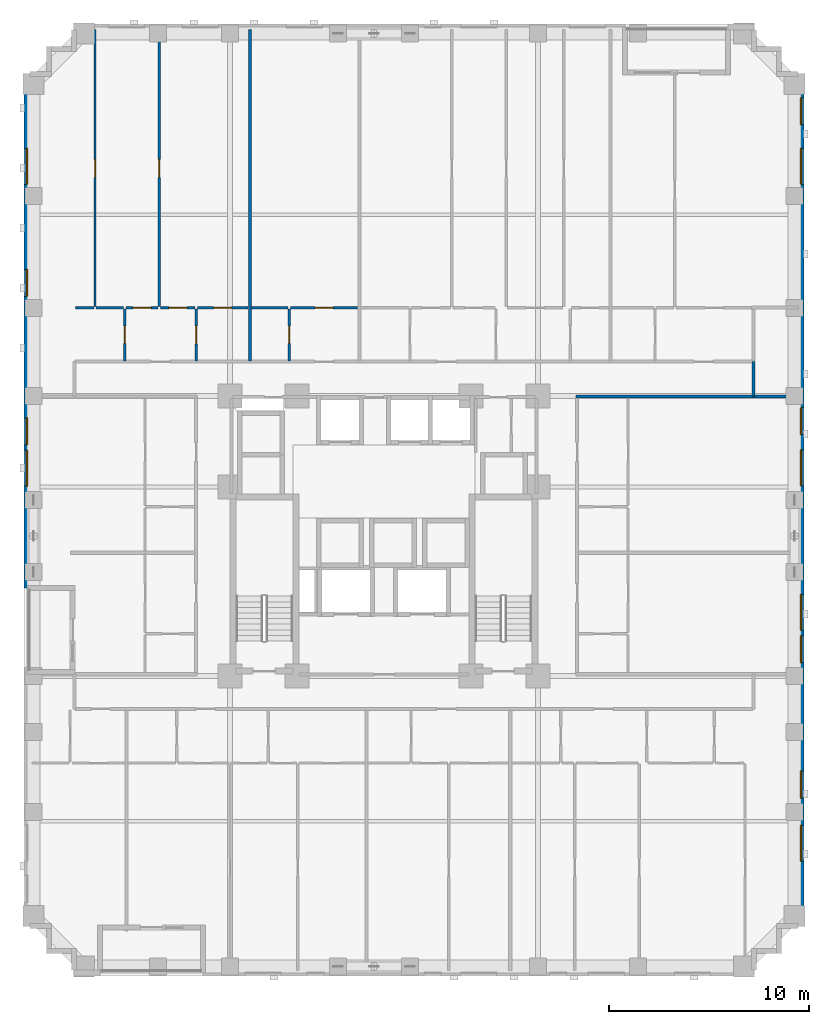
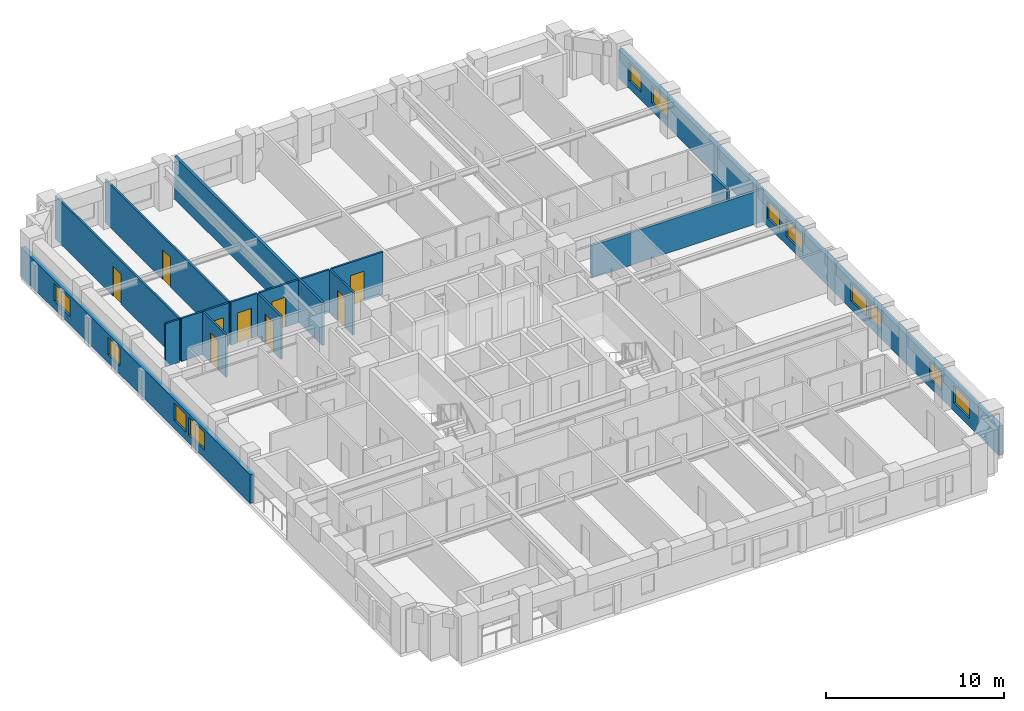
# One storey, part 7 of 14: 17 walls, 12 windows, 9 doors, 21 openings.
"""IFC4 building model written with IfcOpenShell, lengths in metres."""

from ifc_helpers import new_model, si_unit, derived_unit, direction, frame, frame_2d, origin, place, context, subcontext, project, spatial, rectangle, extrude, material, layer, layer_set, type_object, element, fill, save


model = new_model("IFC4")

# Units and contexts
model_context = context("Model", 3, precision=1e-05, world=origin(), true_north=direction((0.0, 1.0)))
body_context = subcontext(model_context, "Body", "Model", "MODEL_VIEW")
ifc_project = project(units=[si_unit("LENGTHUNIT", "METRE"), si_unit("AREAUNIT", "SQUARE_METRE"), si_unit("VOLUMEUNIT", "CUBIC_METRE"), si_unit("PLANEANGLEUNIT", "RADIAN"), si_unit("MASSUNIT", "GRAM", prefix="KILO"), derived_unit("THERMALTRANSMITTANCEUNIT", [(si_unit("MASSUNIT", "GRAM", prefix="KILO"), 1), (si_unit("TIMEUNIT", "SECOND"), -3), (si_unit("THERMODYNAMICTEMPERATUREUNIT", "KELVIN"), -1)])], contexts=[model_context])

# Site, building, storey
site_placement = place(None, origin())
site = spatial("IfcSite", under=ifc_project, at=site_placement, CompositionType="ELEMENT")
building_placement = place(site_placement, origin())
building = spatial("IfcBuilding", under=site, at=building_placement, Name="Korrvale Station Residences", CompositionType="ELEMENT")
storey_placement = place(building_placement, frame((0.0, 0.0, 54.60009765625)))
storey = spatial("IfcBuildingStorey", under=building, at=storey_placement, Name="L14", CompositionType="ELEMENT", Elevation=54.60009765625)

# Wall, openings, windows
ifc_material_1 = material(Name="Precast concrete C45/55", Category="concrete")
ifc_layer_1 = layer(ifc_material_1, 0.300048828125, Name="Precast concrete C45/55")
ifc_layer_set_1 = layer_set([ifc_layer_1], Name="Precast concrete C45/55")
wall_type_1 = type_object("IfcWallType", Name="WAL-EXT-PC300", PredefinedType="SOLIDWALL", material=ifc_layer_set_1)
wall_1_placement = place(storey_placement, frame((46.35009765625, 45.10009765625, 0.0), z_axis=(0.0, 0.0, 1.0), x_axis=(0.0, -1.0, 0.0)))
wall_1 = element("IfcWall", 1, at=wall_1_placement, inside=storey, type_object=wall_type_1, Name="L14 East Exterior Precast Wall 1", PredefinedType="SOLIDWALL", context=body_context, shape_type="SweptSolid", body=[
    extrude(rectangle(XDim=42.60009765625, YDim=0.300048828125, at=frame_2d((21.300048828125, 0.0))), origin(), (0.0, 0.0, 1.0), 1.974853515625),
])
opening_1_placement = place(wall_1_placement, frame((37.574951171875, 0.0, 0.550048828125)))
opening_1 = element("IfcOpeningElement", 2, at=opening_1_placement, cuts=wall_1, Name="Opening W-09", PredefinedType="OPENING", context=body_context, shape_type="SweptSolid", body=[
    extrude(rectangle(XDim=1.800048828125, YDim=1.199951171875, at=frame_2d((0.89990234375, 0.60009765625))), frame((0.0, 0.16015625, 0.0), z_axis=(0.0, -1.0, 0.0), x_axis=(1.0, 0.0, 0.0)), (0.0, 0.0, 1.0), 0.320068359375),
])
opening_2_placement = place(wall_1_placement, frame((34.85009765625, 0.0, 0.550048828125)))
opening_2 = element("IfcOpeningElement", 3, at=opening_2_placement, cuts=wall_1, Name="Opening W-10", PredefinedType="OPENING", context=body_context, shape_type="SweptSolid", body=[
    extrude(rectangle(XDim=1.35009765625, YDim=1.199951171875, at=frame_2d((0.675048828125, 0.60009765625))), frame((0.0, 0.16015625, 0.0), z_axis=(0.0, -1.0, 0.0), x_axis=(1.0, 0.0, 0.0)), (0.0, 0.0, 1.0), 0.320068359375),
])
opening_3_placement = place(wall_1_placement, frame((3.715087890625, 0.0, 0.550048828125)))
opening_3 = element("IfcOpeningElement", 4, at=opening_3_placement, cuts=wall_1, Name="Opening W-09", PredefinedType="OPENING", context=body_context, shape_type="SweptSolid", body=[
    extrude(rectangle(XDim=1.800048828125, YDim=1.199951171875, at=frame_2d((0.89990234375, 0.60009765625))), frame((0.0, 0.16015625, 0.0), z_axis=(0.0, -1.0, 0.0), x_axis=(1.0, 0.0, 0.0)), (0.0, 0.0, 1.0), 0.320068359375),
])
opening_4_placement = place(wall_1_placement, frame((1.18505859375, 0.0, 0.550048828125)))
opening_4 = element("IfcOpeningElement", 5, at=opening_4_placement, cuts=wall_1, Name="Opening W-10", PredefinedType="OPENING", context=body_context, shape_type="SweptSolid", body=[
    extrude(rectangle(XDim=1.35009765625, YDim=1.199951171875, at=frame_2d((0.675048828125, 0.60009765625))), frame((0.0, 0.16015625, 0.0), z_axis=(0.0, -1.0, 0.0), x_axis=(1.0, 0.0, 0.0)), (0.0, 0.0, 1.0), 0.320068359375),
])
opening_5_placement = place(wall_1_placement, frame((26.02490234375, 0.0, 0.550048828125)))
opening_5 = element("IfcOpeningElement", 6, at=opening_5_placement, cuts=wall_1, Name="Opening W-09", PredefinedType="OPENING", context=body_context, shape_type="SweptSolid", body=[
    extrude(rectangle(XDim=1.800048828125, YDim=1.199951171875, at=frame_2d((0.89990234375, 0.60009765625))), frame((0.0, 0.16015625, 0.0), z_axis=(0.0, -1.0, 0.0), x_axis=(1.0, 0.0, 0.0)), (0.0, 0.0, 1.0), 0.320068359375),
])
opening_6_placement = place(wall_1_placement, frame((28.0849609375, 0.0, 0.550048828125)))
opening_6 = element("IfcOpeningElement", 7, at=opening_6_placement, cuts=wall_1, Name="Opening W-10", PredefinedType="OPENING", context=body_context, shape_type="SweptSolid", body=[
    extrude(rectangle(XDim=1.35009765625, YDim=1.199951171875, at=frame_2d((0.675048828125, 0.60009765625))), frame((0.0, 0.16015625, 0.0), z_axis=(0.0, -1.0, 0.0), x_axis=(1.0, 0.0, 0.0)), (0.0, 0.0, 1.0), 0.320068359375),
])
opening_7_placement = place(wall_1_placement, frame((18.800048828125, 0.0, 0.550048828125)))
opening_7 = element("IfcOpeningElement", 8, at=opening_7_placement, cuts=wall_1, Name="Opening W-09", PredefinedType="OPENING", context=body_context, shape_type="SweptSolid", body=[
    extrude(rectangle(XDim=1.800048828125, YDim=1.199951171875, at=frame_2d((0.89990234375, 0.60009765625))), frame((0.0, 0.16015625, 0.0), z_axis=(0.0, -1.0, 0.0), x_axis=(1.0, 0.0, 0.0)), (0.0, 0.0, 1.0), 0.320068359375),
])
opening_8_placement = place(wall_1_placement, frame((16.68505859375, 0.0, 0.550048828125)))
opening_8 = element("IfcOpeningElement", 9, at=opening_8_placement, cuts=wall_1, Name="Opening W-10", PredefinedType="OPENING", context=body_context, shape_type="SweptSolid", body=[
    extrude(rectangle(XDim=1.35009765625, YDim=1.199951171875, at=frame_2d((0.675048828125, 0.60009765625))), frame((0.0, 0.16015625, 0.0), z_axis=(0.0, -1.0, 0.0), x_axis=(1.0, 0.0, 0.0)), (0.0, 0.0, 1.0), 0.320068359375),
])
ifc_material_2 = material(Name="Thermally broken aluminium frame with triple low-e glazing", Category="aluminium")
window_type_1 = type_object("IfcWindowType", Name="WIN-W09", PartitioningType="DOUBLE_PANEL_VERTICAL", PredefinedType="WINDOW", material=ifc_material_2)
window_1_placement = place(opening_1_placement, origin())
window_1 = element("IfcWindow", 10, at=window_1_placement, inside=storey, type_object=window_type_1, Name="L14 Punched Window 11", OverallHeight=1.199951171875, OverallWidth=1.800048828125, PartitioningType="DOUBLE_PANEL_VERTICAL", PredefinedType="WINDOW", context=body_context, shape_type="SweptSolid", body=[
    extrude(rectangle(XDim=1.800048828125, YDim=1.199951171875, at=frame_2d((0.89990234375, 0.60009765625))), frame((0.0, 0.030029296875, 0.0), z_axis=(0.0, -1.0, 0.0), x_axis=(1.0, 0.0, 0.0)), (0.0, 0.0, 1.0), 0.06005859375),
])
fill(opening_1, window_1)
window_2_placement = place(opening_3_placement, origin())
window_2 = element("IfcWindow", 11, at=window_2_placement, inside=storey, type_object=window_type_1, Name="L14 Punched Window 22", OverallHeight=1.199951171875, OverallWidth=1.800048828125, PartitioningType="DOUBLE_PANEL_VERTICAL", PredefinedType="WINDOW", context=body_context, shape_type="SweptSolid", body=[
    extrude(rectangle(XDim=1.800048828125, YDim=1.199951171875, at=frame_2d((0.89990234375, 0.60009765625))), frame((0.0, 0.030029296875, 0.0), z_axis=(0.0, -1.0, 0.0), x_axis=(1.0, 0.0, 0.0)), (0.0, 0.0, 1.0), 0.06005859375),
])
fill(opening_3, window_2)
window_3_placement = place(opening_5_placement, origin())
window_3 = element("IfcWindow", 12, at=window_3_placement, inside=storey, type_object=window_type_1, Name="L14 Punched Window 27", OverallHeight=1.199951171875, OverallWidth=1.800048828125, PartitioningType="DOUBLE_PANEL_VERTICAL", PredefinedType="WINDOW", context=body_context, shape_type="SweptSolid", body=[
    extrude(rectangle(XDim=1.800048828125, YDim=1.199951171875, at=frame_2d((0.89990234375, 0.60009765625))), frame((0.0, 0.030029296875, 0.0), z_axis=(0.0, -1.0, 0.0), x_axis=(1.0, 0.0, 0.0)), (0.0, 0.0, 1.0), 0.06005859375),
])
fill(opening_5, window_3)
window_4_placement = place(opening_7_placement, origin())
window_4 = element("IfcWindow", 13, at=window_4_placement, inside=storey, type_object=window_type_1, Name="L14 Punched Window 29", OverallHeight=1.199951171875, OverallWidth=1.800048828125, PartitioningType="DOUBLE_PANEL_VERTICAL", PredefinedType="WINDOW", context=body_context, shape_type="SweptSolid", body=[
    extrude(rectangle(XDim=1.800048828125, YDim=1.199951171875, at=frame_2d((0.89990234375, 0.60009765625))), frame((0.0, 0.030029296875, 0.0), z_axis=(0.0, -1.0, 0.0), x_axis=(1.0, 0.0, 0.0)), (0.0, 0.0, 1.0), 0.06005859375),
])
fill(opening_7, window_4)
window_type_2 = type_object("IfcWindowType", Name="WIN-W10", PartitioningType="SINGLE_PANEL", PredefinedType="WINDOW", material=ifc_material_2)
window_5_placement = place(opening_2_placement, origin())
window_5 = element("IfcWindow", 14, at=window_5_placement, inside=storey, type_object=window_type_2, Name="L14 Punched Window 12", OverallHeight=1.199951171875, OverallWidth=1.35009765625, PartitioningType="SINGLE_PANEL", PredefinedType="WINDOW", context=body_context, shape_type="SweptSolid", body=[
    extrude(rectangle(XDim=1.35009765625, YDim=1.199951171875, at=frame_2d((0.675048828125, 0.60009765625))), frame((0.0, 0.030029296875, 0.0), z_axis=(0.0, -1.0, 0.0), x_axis=(1.0, 0.0, 0.0)), (0.0, 0.0, 1.0), 0.06005859375),
])
fill(opening_2, window_5)
window_6_placement = place(opening_4_placement, origin())
window_6 = element("IfcWindow", 15, at=window_6_placement, inside=storey, type_object=window_type_2, Name="L14 Punched Window 23", OverallHeight=1.199951171875, OverallWidth=1.35009765625, PartitioningType="SINGLE_PANEL", PredefinedType="WINDOW", context=body_context, shape_type="SweptSolid", body=[
    extrude(rectangle(XDim=1.35009765625, YDim=1.199951171875, at=frame_2d((0.675048828125, 0.60009765625))), frame((0.0, 0.030029296875, 0.0), z_axis=(0.0, -1.0, 0.0), x_axis=(1.0, 0.0, 0.0)), (0.0, 0.0, 1.0), 0.06005859375),
])
fill(opening_4, window_6)
window_7_placement = place(opening_6_placement, origin())
window_7 = element("IfcWindow", 16, at=window_7_placement, inside=storey, type_object=window_type_2, Name="L14 Punched Window 28", OverallHeight=1.199951171875, OverallWidth=1.35009765625, PartitioningType="SINGLE_PANEL", PredefinedType="WINDOW", context=body_context, shape_type="SweptSolid", body=[
    extrude(rectangle(XDim=1.35009765625, YDim=1.199951171875, at=frame_2d((0.675048828125, 0.60009765625))), frame((0.0, 0.030029296875, 0.0), z_axis=(0.0, -1.0, 0.0), x_axis=(1.0, 0.0, 0.0)), (0.0, 0.0, 1.0), 0.06005859375),
])
fill(opening_6, window_7)
window_8_placement = place(opening_8_placement, origin())
window_8 = element("IfcWindow", 17, at=window_8_placement, inside=storey, type_object=window_type_2, Name="L14 Punched Window 30", OverallHeight=1.199951171875, OverallWidth=1.35009765625, PartitioningType="SINGLE_PANEL", PredefinedType="WINDOW", context=body_context, shape_type="SweptSolid", body=[
    extrude(rectangle(XDim=1.35009765625, YDim=1.199951171875, at=frame_2d((0.675048828125, 0.60009765625))), frame((0.0, 0.030029296875, 0.0), z_axis=(0.0, -1.0, 0.0), x_axis=(1.0, 0.0, 0.0)), (0.0, 0.0, 1.0), 0.06005859375),
])
fill(opening_8, window_8)

wall_2_placement = place(storey_placement, frame((7.64990234375, 19.39990234375, 0.0), z_axis=(0.0, 0.0, 1.0), x_axis=(0.0, 1.0, 0.0)))
wall_2 = element("IfcWall", 18, at=wall_2_placement, inside=storey, type_object=wall_type_1, Name="L14 West Exterior Precast Wall 2", PredefinedType="SOLIDWALL", context=body_context, shape_type="SweptSolid", body=[
    extrude(rectangle(XDim=25.7001953125, YDim=0.300048828125, at=frame_2d((12.85009765625, 0.0))), origin(), (0.0, 0.0, 1.0), 1.974853515625),
])
opening_9_placement = place(wall_2_placement, frame((20.18505859375, 0.0, 0.550048828125)))
opening_9 = element("IfcOpeningElement", 19, at=opening_9_placement, cuts=wall_2, Name="Opening W-09", PredefinedType="OPENING", context=body_context, shape_type="SweptSolid", body=[
    extrude(rectangle(XDim=1.800048828125, YDim=1.199951171875, at=frame_2d((0.89990234375, 0.60009765625))), frame((0.0, 0.16015625, 0.0), z_axis=(0.0, -1.0, 0.0), x_axis=(1.0, 0.0, 0.0)), (0.0, 0.0, 1.0), 0.320068359375),
])
opening_10_placement = place(wall_2_placement, frame((14.5849609375, 0.0, 0.550048828125)))
opening_10 = element("IfcOpeningElement", 20, at=opening_10_placement, cuts=wall_2, Name="Opening W-10", PredefinedType="OPENING", context=body_context, shape_type="SweptSolid", body=[
    extrude(rectangle(XDim=1.35009765625, YDim=1.199951171875, at=frame_2d((0.675048828125, 0.60009765625))), frame((0.0, 0.16015625, 0.0), z_axis=(0.0, -1.0, 0.0), x_axis=(1.0, 0.0, 0.0)), (0.0, 0.0, 1.0), 0.320068359375),
])
opening_11_placement = place(wall_2_placement, frame((5.10009765625, 0.0, 0.550048828125)))
opening_11 = element("IfcOpeningElement", 21, at=opening_11_placement, cuts=wall_2, Name="Opening W-09", PredefinedType="OPENING", context=body_context, shape_type="SweptSolid", body=[
    extrude(rectangle(XDim=1.800048828125, YDim=1.199951171875, at=frame_2d((0.89990234375, 0.60009765625))), frame((0.0, 0.16015625, 0.0), z_axis=(0.0, -1.0, 0.0), x_axis=(1.0, 0.0, 0.0)), (0.0, 0.0, 1.0), 0.320068359375),
])
opening_12_placement = place(wall_2_placement, frame((7.159912109375, 0.0, 0.550048828125)))
opening_12 = element("IfcOpeningElement", 22, at=opening_12_placement, cuts=wall_2, Name="Opening W-10", PredefinedType="OPENING", context=body_context, shape_type="SweptSolid", body=[
    extrude(rectangle(XDim=1.35009765625, YDim=1.199951171875, at=frame_2d((0.675048828125, 0.60009765625))), frame((0.0, 0.16015625, 0.0), z_axis=(0.0, -1.0, 0.0), x_axis=(1.0, 0.0, 0.0)), (0.0, 0.0, 1.0), 0.320068359375),
])
window_9_placement = place(opening_9_placement, origin())
window_9 = element("IfcWindow", 23, at=window_9_placement, inside=storey, type_object=window_type_1, Name="L14 Punched Window 13", OverallHeight=1.199951171875, OverallWidth=1.800048828125, PartitioningType="DOUBLE_PANEL_VERTICAL", PredefinedType="WINDOW", context=body_context, shape_type="SweptSolid", body=[
    extrude(rectangle(XDim=1.800048828125, YDim=1.199951171875, at=frame_2d((0.89990234375, 0.60009765625))), frame((0.0, 0.030029296875, 0.0), z_axis=(0.0, -1.0, 0.0), x_axis=(1.0, 0.0, 0.0)), (0.0, 0.0, 1.0), 0.06005859375),
])
fill(opening_9, window_9)
window_10_placement = place(opening_11_placement, origin())
window_10 = element("IfcWindow", 24, at=window_10_placement, inside=storey, type_object=window_type_1, Name="L14 Punched Window 25", OverallHeight=1.199951171875, OverallWidth=1.800048828125, PartitioningType="DOUBLE_PANEL_VERTICAL", PredefinedType="WINDOW", context=body_context, shape_type="SweptSolid", body=[
    extrude(rectangle(XDim=1.800048828125, YDim=1.199951171875, at=frame_2d((0.89990234375, 0.60009765625))), frame((0.0, 0.030029296875, 0.0), z_axis=(0.0, -1.0, 0.0), x_axis=(1.0, 0.0, 0.0)), (0.0, 0.0, 1.0), 0.06005859375),
])
fill(opening_11, window_10)
window_11_placement = place(opening_10_placement, origin())
window_11 = element("IfcWindow", 25, at=window_11_placement, inside=storey, type_object=window_type_2, Name="L14 Punched Window 14", OverallHeight=1.199951171875, OverallWidth=1.35009765625, PartitioningType="SINGLE_PANEL", PredefinedType="WINDOW", context=body_context, shape_type="SweptSolid", body=[
    extrude(rectangle(XDim=1.35009765625, YDim=1.199951171875, at=frame_2d((0.675048828125, 0.60009765625))), frame((0.0, 0.030029296875, 0.0), z_axis=(0.0, -1.0, 0.0), x_axis=(1.0, 0.0, 0.0)), (0.0, 0.0, 1.0), 0.06005859375),
])
fill(opening_10, window_11)
window_12_placement = place(opening_12_placement, origin())
window_12 = element("IfcWindow", 26, at=window_12_placement, inside=storey, type_object=window_type_2, Name="L14 Punched Window 26", OverallHeight=1.199951171875, OverallWidth=1.35009765625, PartitioningType="SINGLE_PANEL", PredefinedType="WINDOW", context=body_context, shape_type="SweptSolid", body=[
    extrude(rectangle(XDim=1.35009765625, YDim=1.199951171875, at=frame_2d((0.675048828125, 0.60009765625))), frame((0.0, 0.030029296875, 0.0), z_axis=(0.0, -1.0, 0.0), x_axis=(1.0, 0.0, 0.0)), (0.0, 0.0, 1.0), 0.06005859375),
])
fill(opening_12, window_12)

# Wall, opening, door
ifc_material_3 = material(Name="Acoustic steel-stud gypsum board partition", Category="steel")
ifc_layer_2 = layer(ifc_material_3, 0.1201171875, Name="Acoustic steel-stud gypsum board partition")
ifc_layer_set_2 = layer_set([ifc_layer_2], Name="Acoustic steel-stud gypsum board partition")
wall_type_2 = type_object("IfcWallType", Name="WAL-PART-125", PredefinedType="PARTITIONING", material=ifc_layer_set_2)
wall_3_placement = place(storey_placement, frame((12.5400390625, 30.760009765625, 0.0), z_axis=(0.0, 0.0, 1.0), x_axis=(0.0, 1.0, 0.0)))
wall_3 = element("IfcWall", 27, at=wall_3_placement, inside=storey, type_object=wall_type_2, Name="L14 Suite Partition U05-V01", PredefinedType="PARTITIONING", context=body_context, shape_type="SweptSolid", body=[
    extrude(rectangle(XDim=2.60009765625, YDim=0.1201171875, at=frame_2d((1.300048828125, 0.0))), origin(), (0.0, 0.0, 1.0), 2.93994140625),
])
opening_13_placement = place(wall_3_placement, frame((0.8701171875, 0.0, 0.0)))
opening_13 = element("IfcOpeningElement", 28, at=opening_13_placement, cuts=wall_3, Name="Opening DB-860", PredefinedType="OPENING", context=body_context, shape_type="SweptSolid", body=[
    extrude(rectangle(XDim=0.860107421875, YDim=2.050048828125, at=frame_2d((0.43017578125, 1.02490234375))), frame((0.0, 0.070068359375, 0.0), z_axis=(0.0, -1.0, 0.0), x_axis=(1.0, 0.0, 0.0)), (0.0, 0.0, 1.0), 0.14013671875),
])
ifc_material_4 = material(Name="Moisture-resistant solid-core bathroom door", Category="timber")
door_type_1 = type_object("IfcDoorType", Name="DR-BATH-860", OperationType="NOTDEFINED", PredefinedType="DOOR", material=ifc_material_4)
door_1_placement = place(opening_13_placement, origin())
door_1 = element("IfcDoor", 29, at=door_1_placement, inside=storey, type_object=door_type_1, Name="L14 Studio Apartment L14-U05 Bathroom Door", OperationType="SINGLE_SWING_RIGHT", OverallHeight=2.050048828125, OverallWidth=0.860107421875, PredefinedType="DOOR", context=body_context, shape_type="SweptSolid", body=[
    extrude(rectangle(XDim=0.860107421875, YDim=2.050048828125, at=frame_2d((0.43017578125, 1.02490234375))), frame((0.0, 0.02490234375, 0.0), z_axis=(0.0, -1.0, 0.0), x_axis=(1.0, 0.0, 0.0)), (0.0, 0.0, 1.0), 0.050048828125),
])
fill(opening_13, door_1)

# Walls
wall_4_placement = place(storey_placement, frame((10.080078125, 33.419921875, 0.0), z_axis=(0.0, 0.0, 1.0), x_axis=(1.0, 0.0, 0.0)))
element("IfcWall", 30, at=wall_4_placement, inside=storey, type_object=wall_type_2, Name="L14 Suite Partition U05-H03", PredefinedType="PARTITIONING", context=body_context, shape_type="SweptSolid", body=[
    extrude(rectangle(XDim=0.909912109375, YDim=0.1201171875, at=frame_2d((0.455078125, 0.0))), origin(), (0.0, 0.0, 1.0), 2.93994140625),
])
wall_5_placement = place(storey_placement, frame((11.110107421875, 33.419921875, 0.0), z_axis=(0.0, 0.0, 1.0), x_axis=(1.0, 0.0, 0.0)))
element("IfcWall", 31, at=wall_5_placement, inside=storey, type_object=wall_type_2, Name="L14 Suite Partition U05-H04", PredefinedType="PARTITIONING", context=body_context, shape_type="SweptSolid", body=[
    extrude(rectangle(XDim=1.369873046875, YDim=0.1201171875, at=frame_2d((0.68505859375, 0.0))), origin(), (0.0, 0.0, 1.0), 2.93994140625),
])

# Wall, opening, door
wall_6_placement = place(storey_placement, frame((16.110107421875, 30.760009765625, 0.0), z_axis=(0.0, 0.0, 1.0), x_axis=(0.0, 1.0, 0.0)))
wall_6 = element("IfcWall", 32, at=wall_6_placement, inside=storey, type_object=wall_type_2, Name="L14 Suite Partition U05-V12", PredefinedType="PARTITIONING", context=body_context, shape_type="SweptSolid", body=[
    extrude(rectangle(XDim=2.60009765625, YDim=0.1201171875, at=frame_2d((1.300048828125, 0.0))), origin(), (0.0, 0.0, 1.0), 2.93994140625),
])
opening_14_placement = place(wall_6_placement, frame((0.85009765625, 0.0, 0.0)))
opening_14 = element("IfcOpeningElement", 33, at=opening_14_placement, cuts=wall_6, Name="Opening DI-900", PredefinedType="OPENING", context=body_context, shape_type="SweptSolid", body=[
    extrude(rectangle(XDim=0.89990234375, YDim=2.050048828125, at=frame_2d((0.449951171875, 1.02490234375))), frame((0.0, 0.070068359375, 0.0), z_axis=(0.0, -1.0, 0.0), x_axis=(1.0, 0.0, 0.0)), (0.0, 0.0, 1.0), 0.14013671875),
])
ifc_material_5 = material(Name="Painted solid-core timber interior room door", Category="wood")
door_type_2 = type_object("IfcDoorType", Name="DR-INT-900", OperationType="NOTDEFINED", PredefinedType="DOOR", material=ifc_material_5)
door_2_placement = place(opening_14_placement, origin())
door_2 = element("IfcDoor", 34, at=door_2_placement, inside=storey, type_object=door_type_2, Name="L14 Studio Apartment L14-U05 Kitchen Door", OperationType="SINGLE_SWING_LEFT", OverallHeight=2.050048828125, OverallWidth=0.89990234375, PredefinedType="DOOR", context=body_context, shape_type="SweptSolid", body=[
    extrude(rectangle(XDim=0.89990234375, YDim=2.050048828125, at=frame_2d((0.449951171875, 1.02490234375))), frame((0.0, 0.02490234375, 0.0), z_axis=(0.0, -1.0, 0.0), x_axis=(1.0, 0.0, 0.0)), (0.0, 0.0, 1.0), 0.050048828125),
])
fill(opening_14, door_2)

wall_7_placement = place(storey_placement, frame((12.60009765625, 33.419921875, 0.0), z_axis=(0.0, 0.0, 1.0), x_axis=(1.0, 0.0, 0.0)))
wall_7 = element("IfcWall", 35, at=wall_7_placement, inside=storey, type_object=wall_type_2, Name="L14 Suite Partition U05-H14", PredefinedType="PARTITIONING", context=body_context, shape_type="SweptSolid", body=[
    extrude(rectangle(XDim=1.60986328125, YDim=0.1201171875, at=frame_2d((0.804931640625, 0.0))), origin(), (0.0, 0.0, 1.0), 2.93994140625),
])
opening_15_placement = place(wall_7_placement, frame((0.35498046875, 0.0, 0.0)))
opening_15 = element("IfcOpeningElement", 36, at=opening_15_placement, cuts=wall_7, Name="Opening DI-900", PredefinedType="OPENING", context=body_context, shape_type="SweptSolid", body=[
    extrude(rectangle(XDim=0.89990234375, YDim=2.050048828125, at=frame_2d((0.449951171875, 1.02490234375))), frame((0.0, 0.070068359375, 0.0), z_axis=(0.0, -1.0, 0.0), x_axis=(1.0, 0.0, 0.0)), (0.0, 0.0, 1.0), 0.14013671875),
])
door_3_placement = place(opening_15_placement, origin())
door_3 = element("IfcDoor", 37, at=door_3_placement, inside=storey, type_object=door_type_2, Name="L14 Studio Apartment L14-U05 Kitchen Door", OperationType="SINGLE_SWING_RIGHT", OverallHeight=2.050048828125, OverallWidth=0.89990234375, PredefinedType="DOOR", context=body_context, shape_type="SweptSolid", body=[
    extrude(rectangle(XDim=0.89990234375, YDim=2.050048828125, at=frame_2d((0.449951171875, 1.02490234375))), frame((0.0, 0.02490234375, 0.0), z_axis=(0.0, -1.0, 0.0), x_axis=(1.0, 0.0, 0.0)), (0.0, 0.0, 1.0), 0.050048828125),
])
fill(opening_15, door_3)

wall_8_placement = place(storey_placement, frame((14.330078125, 33.419921875, 0.0), z_axis=(0.0, 0.0, 1.0), x_axis=(1.0, 0.0, 0.0)))
wall_8 = element("IfcWall", 38, at=wall_8_placement, inside=storey, type_object=wall_type_2, Name="L14 Suite Partition U05-H15", PredefinedType="PARTITIONING", context=body_context, shape_type="SweptSolid", body=[
    extrude(rectangle(XDim=1.719970703125, YDim=0.1201171875, at=frame_2d((0.85986328125, 0.0))), origin(), (0.0, 0.0, 1.0), 2.93994140625),
])
opening_16_placement = place(wall_8_placement, frame((0.409912109375, 0.0, 0.0)))
opening_16 = element("IfcOpeningElement", 39, at=opening_16_placement, cuts=wall_8, Name="Opening DI-900", PredefinedType="OPENING", context=body_context, shape_type="SweptSolid", body=[
    extrude(rectangle(XDim=0.89990234375, YDim=2.050048828125, at=frame_2d((0.449951171875, 1.02490234375))), frame((0.0, 0.070068359375, 0.0), z_axis=(0.0, -1.0, 0.0), x_axis=(1.0, 0.0, 0.0)), (0.0, 0.0, 1.0), 0.14013671875),
])
door_4_placement = place(opening_16_placement, origin())
door_4 = element("IfcDoor", 40, at=door_4_placement, inside=storey, type_object=door_type_2, Name="L14 Studio Apartment L14-U05 Kitchen Door", OperationType="SINGLE_SWING_LEFT", OverallHeight=2.050048828125, OverallWidth=0.89990234375, PredefinedType="DOOR", context=body_context, shape_type="SweptSolid", body=[
    extrude(rectangle(XDim=0.89990234375, YDim=2.050048828125, at=frame_2d((0.449951171875, 1.02490234375))), frame((0.0, 0.02490234375, 0.0), z_axis=(0.0, -1.0, 0.0), x_axis=(1.0, 0.0, 0.0)), (0.0, 0.0, 1.0), 0.050048828125),
])
fill(opening_16, door_4)

wall_9_placement = place(storey_placement, frame((16.169921875, 33.419921875, 0.0), z_axis=(0.0, 0.0, 1.0), x_axis=(1.0, 0.0, 0.0)))
wall_9 = element("IfcWall", 41, at=wall_9_placement, inside=storey, type_object=wall_type_2, Name="L14 Suite Partition U05-H25", PredefinedType="PARTITIONING", context=body_context, shape_type="SweptSolid", body=[
    extrude(rectangle(XDim=2.526123046875, YDim=0.1201171875, at=frame_2d((1.26318359375, 0.0))), origin(), (0.0, 0.0, 1.0), 2.93994140625),
])
opening_17_placement = place(wall_9_placement, frame((0.81298828125, 0.0, 0.0)))
opening_17 = element("IfcOpeningElement", 42, at=opening_17_placement, cuts=wall_9, Name="Opening DI-900", PredefinedType="OPENING", context=body_context, shape_type="SweptSolid", body=[
    extrude(rectangle(XDim=0.89990234375, YDim=2.050048828125, at=frame_2d((0.449951171875, 1.02490234375))), frame((0.0, 0.070068359375, 0.0), z_axis=(0.0, -1.0, 0.0), x_axis=(1.0, 0.0, 0.0)), (0.0, 0.0, 1.0), 0.14013671875),
])
door_5_placement = place(opening_17_placement, origin())
door_5 = element("IfcDoor", 43, at=door_5_placement, inside=storey, type_object=door_type_2, Name="L14 Studio Apartment L14-U05 Utility and Laundry Room Door", OperationType="SINGLE_SWING_RIGHT", OverallHeight=2.050048828125, OverallWidth=0.89990234375, PredefinedType="DOOR", context=body_context, shape_type="SweptSolid", body=[
    extrude(rectangle(XDim=0.89990234375, YDim=2.050048828125, at=frame_2d((0.449951171875, 1.02490234375))), frame((0.0, 0.02490234375, 0.0), z_axis=(0.0, -1.0, 0.0), x_axis=(1.0, 0.0, 0.0)), (0.0, 0.0, 1.0), 0.050048828125),
])
fill(opening_17, door_5)

wall_10_placement = place(storey_placement, frame((11.050048828125, 33.47998046875, 0.0), z_axis=(0.0, 0.0, 1.0), x_axis=(0.0, 1.0, 0.0)))
wall_10 = element("IfcWall", 44, at=wall_10_placement, inside=storey, type_object=wall_type_2, Name="L14 Suite Partition U05-V34", PredefinedType="PARTITIONING", context=body_context, shape_type="SweptSolid", body=[
    extrude(rectangle(XDim=13.840087890625, YDim=0.1201171875, at=frame_2d((6.919921875, 0.0))), origin(), (0.0, 0.0, 1.0), 2.93994140625),
])
opening_18_placement = place(wall_10_placement, frame((6.455078125, 0.0, 0.0)))
opening_18 = element("IfcOpeningElement", 45, at=opening_18_placement, cuts=wall_10, Name="Opening DI-900", PredefinedType="OPENING", context=body_context, shape_type="SweptSolid", body=[
    extrude(rectangle(XDim=0.89990234375, YDim=2.050048828125, at=frame_2d((0.449951171875, 1.02490234375))), frame((0.0, 0.070068359375, 0.0), z_axis=(0.0, -1.0, 0.0), x_axis=(1.0, 0.0, 0.0)), (0.0, 0.0, 1.0), 0.14013671875),
])
door_6_placement = place(opening_18_placement, origin())
door_6 = element("IfcDoor", 46, at=door_6_placement, inside=storey, type_object=door_type_2, Name="L14 Studio Apartment L14-U05 Walk-In Wardrobe Door", OperationType="SINGLE_SWING_LEFT", OverallHeight=2.050048828125, OverallWidth=0.89990234375, PredefinedType="DOOR", context=body_context, shape_type="SweptSolid", body=[
    extrude(rectangle(XDim=0.89990234375, YDim=2.050048828125, at=frame_2d((0.449951171875, 1.02490234375))), frame((0.0, 0.02490234375, 0.0), z_axis=(0.0, -1.0, 0.0), x_axis=(1.0, 0.0, 0.0)), (0.0, 0.0, 1.0), 0.050048828125),
])
fill(opening_18, door_6)

wall_11_placement = place(storey_placement, frame((14.27001953125, 33.47998046875, 0.0), z_axis=(0.0, 0.0, 1.0), x_axis=(0.0, 1.0, 0.0)))
wall_11 = element("IfcWall", 47, at=wall_11_placement, inside=storey, type_object=wall_type_2, Name="L14 Suite Partition U05-V45", PredefinedType="PARTITIONING", context=body_context, shape_type="SweptSolid", body=[
    extrude(rectangle(XDim=13.840087890625, YDim=0.1201171875, at=frame_2d((6.919921875, 0.0))), origin(), (0.0, 0.0, 1.0), 2.93994140625),
])
opening_19_placement = place(wall_11_placement, frame((6.455078125, 0.0, 0.0)))
opening_19 = element("IfcOpeningElement", 48, at=opening_19_placement, cuts=wall_11, Name="Opening DI-900", PredefinedType="OPENING", context=body_context, shape_type="SweptSolid", body=[
    extrude(rectangle(XDim=0.89990234375, YDim=2.050048828125, at=frame_2d((0.449951171875, 1.02490234375))), frame((0.0, 0.070068359375, 0.0), z_axis=(0.0, -1.0, 0.0), x_axis=(1.0, 0.0, 0.0)), (0.0, 0.0, 1.0), 0.14013671875),
])
door_7_placement = place(opening_19_placement, origin())
door_7 = element("IfcDoor", 49, at=door_7_placement, inside=storey, type_object=door_type_2, Name="L14 Studio Apartment L14-U05 Walk-In Wardrobe Door", OperationType="SINGLE_SWING_RIGHT", OverallHeight=2.050048828125, OverallWidth=0.89990234375, PredefinedType="DOOR", context=body_context, shape_type="SweptSolid", body=[
    extrude(rectangle(XDim=0.89990234375, YDim=2.050048828125, at=frame_2d((0.449951171875, 1.02490234375))), frame((0.0, 0.02490234375, 0.0), z_axis=(0.0, -1.0, 0.0), x_axis=(1.0, 0.0, 0.0)), (0.0, 0.0, 1.0), 0.050048828125),
])
fill(opening_19, door_7)

wall_12_placement = place(storey_placement, frame((20.76611328125, 30.760009765625, 0.0), z_axis=(0.0, 0.0, 1.0), x_axis=(0.0, 1.0, 0.0)))
wall_12 = element("IfcWall", 50, at=wall_12_placement, inside=storey, type_object=wall_type_2, Name="L14 Suite Partition U06-V01", PredefinedType="PARTITIONING", context=body_context, shape_type="SweptSolid", body=[
    extrude(rectangle(XDim=2.60009765625, YDim=0.1201171875, at=frame_2d((1.300048828125, 0.0))), origin(), (0.0, 0.0, 1.0), 2.93994140625),
])
opening_20_placement = place(wall_12_placement, frame((0.8701171875, 0.0, 0.0)))
opening_20 = element("IfcOpeningElement", 51, at=opening_20_placement, cuts=wall_12, Name="Opening DB-860", PredefinedType="OPENING", context=body_context, shape_type="SweptSolid", body=[
    extrude(rectangle(XDim=0.860107421875, YDim=2.050048828125, at=frame_2d((0.43017578125, 1.02490234375))), frame((0.0, 0.070068359375, 0.0), z_axis=(0.0, -1.0, 0.0), x_axis=(1.0, 0.0, 0.0)), (0.0, 0.0, 1.0), 0.14013671875),
])
door_8_placement = place(opening_20_placement, origin())
door_8 = element("IfcDoor", 52, at=door_8_placement, inside=storey, type_object=door_type_1, Name="L14 Studio Apartment L14-U06 Bathroom Door", OperationType="SINGLE_SWING_LEFT", OverallHeight=2.050048828125, OverallWidth=0.860107421875, PredefinedType="DOOR", context=body_context, shape_type="SweptSolid", body=[
    extrude(rectangle(XDim=0.860107421875, YDim=2.050048828125, at=frame_2d((0.43017578125, 1.02490234375))), frame((0.0, 0.02490234375, 0.0), z_axis=(0.0, -1.0, 0.0), x_axis=(1.0, 0.0, 0.0)), (0.0, 0.0, 1.0), 0.050048828125),
])
fill(opening_20, door_8)

# Wall
wall_13_placement = place(storey_placement, frame((18.85595703125, 33.419921875, 0.0), z_axis=(0.0, 0.0, 1.0), x_axis=(1.0, 0.0, 0.0)))
element("IfcWall", 53, at=wall_13_placement, inside=storey, type_object=wall_type_2, Name="L14 Suite Partition U06-H02", PredefinedType="PARTITIONING", context=body_context, shape_type="SweptSolid", body=[
    extrude(rectangle(XDim=1.85009765625, YDim=0.1201171875, at=frame_2d((0.925048828125, 0.0))), origin(), (0.0, 0.0, 1.0), 2.93994140625),
])

# Wall, opening, door
wall_14_placement = place(storey_placement, frame((20.825927734375, 33.419921875, 0.0), z_axis=(0.0, 0.0, 1.0), x_axis=(1.0, 0.0, 0.0)))
wall_14 = element("IfcWall", 54, at=wall_14_placement, inside=storey, type_object=wall_type_2, Name="L14 Suite Partition U06-H12", PredefinedType="PARTITIONING", context=body_context, shape_type="SweptSolid", body=[
    extrude(rectangle(XDim=3.35302734375, YDim=0.1201171875, at=frame_2d((1.676513671875, 0.0))), origin(), (0.0, 0.0, 1.0), 2.93994140625),
])
opening_21_placement = place(wall_14_placement, frame((1.22607421875, 0.0, 0.0)))
opening_21 = element("IfcOpeningElement", 55, at=opening_21_placement, cuts=wall_14, Name="Opening DI-900", PredefinedType="OPENING", context=body_context, shape_type="SweptSolid", body=[
    extrude(rectangle(XDim=0.89990234375, YDim=2.050048828125, at=frame_2d((0.449951171875, 1.02490234375))), frame((0.0, 0.070068359375, 0.0), z_axis=(0.0, -1.0, 0.0), x_axis=(1.0, 0.0, 0.0)), (0.0, 0.0, 1.0), 0.14013671875),
])
door_9_placement = place(opening_21_placement, origin())
door_9 = element("IfcDoor", 56, at=door_9_placement, inside=storey, type_object=door_type_2, Name="L14 Studio Apartment L14-U06 Kitchen Door", OperationType="SINGLE_SWING_RIGHT", OverallHeight=2.050048828125, OverallWidth=0.89990234375, PredefinedType="DOOR", context=body_context, shape_type="SweptSolid", body=[
    extrude(rectangle(XDim=0.89990234375, YDim=2.050048828125, at=frame_2d((0.449951171875, 1.02490234375))), frame((0.0, 0.02490234375, 0.0), z_axis=(0.0, -1.0, 0.0), x_axis=(1.0, 0.0, 0.0)), (0.0, 0.0, 1.0), 0.050048828125),
])
fill(opening_21, door_9)

# Walls
ifc_material_6 = material(Name="Fire-rated twin-stud gypsum and mineral wool shaftwall assembly", Category="gypsum")
ifc_layer_3 = layer(ifc_material_6, 0.159912109375, Name="Fire-rated twin-stud gypsum and mineral wool shaftwall assembly")
ifc_layer_set_3 = layer_set([ifc_layer_3], Name="Fire-rated twin-stud gypsum and mineral wool shaftwall assembly")
wall_type_3 = type_object("IfcWallType", Name="WAL-PART-200", PredefinedType="PARTITIONING", material=ifc_layer_set_3)
wall_15_placement = place(storey_placement, frame((43.97998046875, 28.97998046875, 0.0), z_axis=(0.0, 0.0, 1.0), x_axis=(0.0, 1.0, 0.0)))
element("IfcWall", 57, at=wall_15_placement, inside=storey, type_object=wall_type_3, Name="L14 Corridor North East Cap", PredefinedType="PARTITIONING", context=body_context, shape_type="SweptSolid", body=[
    extrude(rectangle(XDim=1.739990234375, YDim=0.159912109375, at=frame_2d((0.8701171875, 0.0))), origin(), (0.0, 0.0, 1.0), 2.93994140625),
])
wall_16_placement = place(storey_placement, frame((35.110107421875, 28.97998046875, 0.0), z_axis=(0.0, 0.0, 1.0), x_axis=(1.0, 0.0, 0.0)))
element("IfcWall", 58, at=wall_16_placement, inside=storey, type_object=wall_type_3, Name="L14 East Wing North Corridor Wall", PredefinedType="PARTITIONING", context=body_context, shape_type="SweptSolid", body=[
    extrude(rectangle(XDim=11.10986328125, YDim=0.159912109375, at=frame_2d((5.554931640625, 0.0))), origin(), (0.0, 0.0, 1.0), 2.23193359375),
])
wall_17_placement = place(storey_placement, frame((18.7958984375, 30.760009765625, 0.0), z_axis=(0.0, 0.0, 1.0), x_axis=(0.0, 1.0, 0.0)))
element("IfcWall", 59, at=wall_17_placement, inside=storey, type_object=wall_type_3, Name="L14 Demising Wall U06-W", PredefinedType="PARTITIONING", context=body_context, shape_type="SweptSolid", body=[
    extrude(rectangle(XDim=16.56005859375, YDim=0.159912109375, at=frame_2d((8.280029296875, 0.0))), origin(), (0.0, 0.0, 1.0), 2.93994140625),
])

save(model, "model.ifc")
